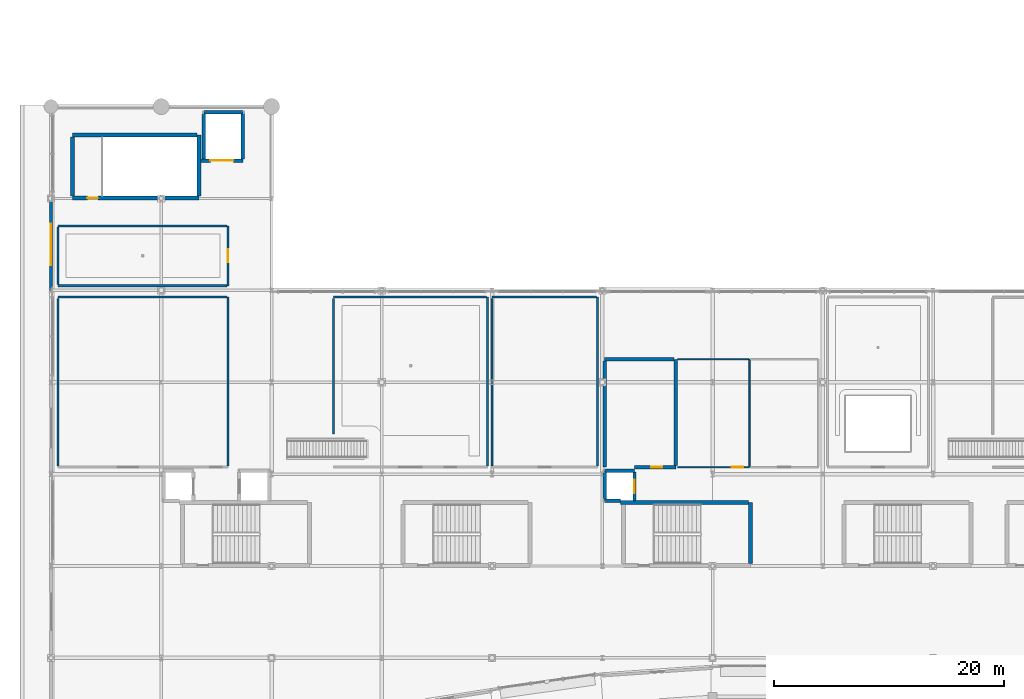
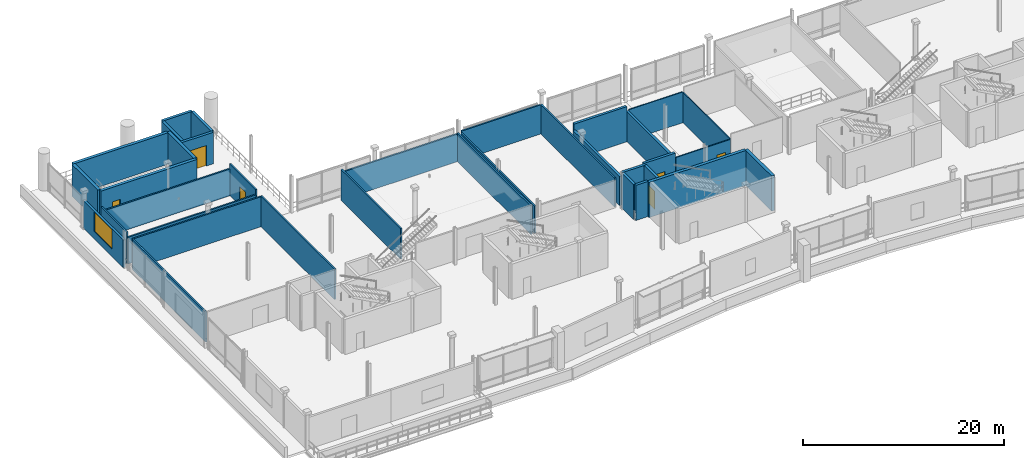
# One storey, part 37 of 59: 35 walls, 6 doors, 1 window, 7 openings.
"""IFC4 building model written with IfcOpenShell, lengths in metres."""

from ifc_helpers import new_model, si_unit, direction, frame, frame_2d, origin, place, context, subcontext, project, spatial, rectangle, extrude, material, layer, layer_set, type_object, element, fill, save


model = new_model("IFC4")

# Units and contexts
model_context = context("Model", 3, precision=1e-05, world=origin(), true_north=direction((0.0, 1.0)))
body_context = subcontext(model_context, "Body", "Model", "MODEL_VIEW")
ifc_project = project(units=[si_unit("LENGTHUNIT", "METRE"), si_unit("AREAUNIT", "SQUARE_METRE"), si_unit("VOLUMEUNIT", "CUBIC_METRE"), si_unit("PLANEANGLEUNIT", "RADIAN"), si_unit("MASSUNIT", "GRAM", prefix="KILO")], contexts=[model_context])

# Site, building, storey
site_placement = place(None, origin())
site = spatial("IfcSite", under=ifc_project, at=site_placement, CompositionType="ELEMENT")
building_placement = place(site_placement, origin())
building = spatial("IfcBuilding", under=site, at=building_placement, Name="Danafjord Basin Convention Centre", CompositionType="ELEMENT")
storey_placement = place(building_placement, frame((0.0, 0.0, 15.89990234375)))
storey = spatial("IfcBuildingStorey", under=building, at=storey_placement, Name="L03", CompositionType="ELEMENT", Elevation=15.89990234375)

# Walls
ifc_material_1 = material(Name="Concrete C40/50", Category="concrete")
ifc_layer_1 = layer(ifc_material_1, 0.300048828125)
ifc_layer_set_1 = layer_set([ifc_layer_1], Name="Concrete C40/50")
wall_type_1 = type_object("IfcWallType", Name="WALL-CW-CORE300", PredefinedType="SHEAR", material=ifc_layer_set_1)
wall_1_placement = place(storey_placement, frame((50.800048828125, 24.300048828125, 0.0), z_axis=(0.0, 0.0, 1.0), x_axis=(-1.0, 0.0, 0.0)))
element("IfcWall", 1, at=wall_1_placement, inside=storey, type_object=wall_type_1, Name="Lift LF-P03 shaft shear wall", PredefinedType="SHEAR", context=body_context, shape_type="SweptSolid", body=[
    extrude(rectangle(XDim=2.60009765625, YDim=0.300048828125, at=frame_2d((1.300048828125, 0.0))), origin(), (0.0, 0.0, 1.0), 4.276123046875),
])
wall_2_placement = place(storey_placement, frame((48.199951171875, 21.699951171875, 0.0), z_axis=(0.0, 0.0, 1.0), x_axis=(1.0, 0.0, 0.0)))
element("IfcWall", 2, at=wall_2_placement, inside=storey, type_object=wall_type_1, Name="Lift LF-P03 shaft shear wall", PredefinedType="SHEAR", context=body_context, shape_type="SweptSolid", body=[
    extrude(rectangle(XDim=1.400146484375, YDim=0.300048828125, at=frame_2d((0.7001953125, 0.0))), origin(), (0.0, 0.0, 1.0), 4.276123046875),
])

# Wall, opening, door
wall_3_placement = place(storey_placement, frame((50.800048828125, 21.6650390625, 0.0), z_axis=(0.0, 0.0, 1.0), x_axis=(0.0, 1.0, 0.0)))
wall_3 = element("IfcWall", 3, at=wall_3_placement, inside=storey, type_object=wall_type_1, Name="Lift LF-P03 shaft shear wall", PredefinedType="SHEAR", context=body_context, shape_type="SweptSolid", body=[
    extrude(rectangle(XDim=2.5, YDim=0.300048828125, at=frame_2d((1.25, 0.0))), origin(), (0.0, 0.0, 1.0), 4.276123046875),
])
opening_1_placement = place(wall_3_placement, frame((0.64990234375, 0.0, 0.0)))
opening_1 = element("IfcOpeningElement", 4, at=opening_1_placement, cuts=wall_3, Name="Opening LD-P01", PredefinedType="OPENING", context=body_context, shape_type="SweptSolid", body=[
    extrude(rectangle(XDim=1.199951171875, YDim=2.199951171875, at=frame_2d((0.60009765625, 1.10009765625))), frame((0.0, 0.159912109375, 0.0), z_axis=(0.0, -1.0, 0.0), x_axis=(1.0, 0.0, 0.0)), (0.0, 0.0, 1.0), 0.320068359375),
])
ifc_material_2 = material(Name="Brushed stainless steel and acoustic laminated glass", Category="steel")
door_type_1 = type_object("IfcDoorType", Name="DOOR-LD-P01", OperationType="DOUBLE_DOOR_SLIDING", PredefinedType="DOOR", material=ifc_material_2)
door_1_placement = place(opening_1_placement, origin())
door_1 = element("IfcDoor", 5, at=door_1_placement, inside=storey, type_object=door_type_1, Name="Lift LF-P03 L03 Landing Door", OperationType="DOUBLE_DOOR_SLIDING", OverallHeight=2.199951171875, OverallWidth=1.199951171875, PredefinedType="DOOR", context=body_context, shape_type="SweptSolid", body=[
    extrude(rectangle(XDim=1.199951171875, YDim=2.199951171875, at=frame_2d((0.60009765625, 1.10009765625))), frame((0.0, 0.02490234375, 0.0), z_axis=(0.0, -1.0, 0.0), x_axis=(1.0, 0.0, 0.0)), (0.0, 0.0, 1.0), 0.050048828125),
])
fill(opening_1, door_1)

# Walls
wall_4_placement = place(storey_placement, frame((48.199951171875, 24.1650390625, 0.0), z_axis=(0.0, 0.0, 1.0), x_axis=(0.0, -1.0, 0.0)))
element("IfcWall", 6, at=wall_4_placement, inside=storey, type_object=wall_type_1, Name="Lift LF-P03 shaft shear wall", PredefinedType="SHEAR", context=body_context, shape_type="SweptSolid", body=[
    extrude(rectangle(XDim=2.330078125, YDim=0.300048828125, at=frame_2d((1.1650390625, 0.0))), origin(), (0.0, 0.0, 1.0), 4.276123046875),
])
wall_5_placement = place(storey_placement, frame((16.699951171875, 55.5, 0.0), z_axis=(0.0, 0.0, 1.0), x_axis=(-1.0, 0.0, 0.0)))
element("IfcWall", 7, at=wall_5_placement, inside=storey, type_object=wall_type_1, Name="Lift LF-G01 shaft shear wall", PredefinedType="SHEAR", context=body_context, shape_type="SweptSolid", body=[
    extrude(rectangle(XDim=3.39990234375, YDim=0.300048828125, at=frame_2d((1.699951171875, 0.0))), origin(), (0.0, 0.0, 1.0), 3.835205078125),
])

# Wall, opening, door
wall_6_placement = place(storey_placement, frame((13.044921875, 51.300048828125, 0.0), z_axis=(0.0, 0.0, 1.0), x_axis=(1.0, 0.0, 0.0)))
wall_6 = element("IfcWall", 8, at=wall_6_placement, inside=storey, type_object=wall_type_1, Name="Lift LF-G01 shaft shear wall", PredefinedType="SHEAR", context=body_context, shape_type="SweptSolid", body=[
    extrude(rectangle(XDim=3.655029296875, YDim=0.300048828125, at=frame_2d((1.82763671875, 0.0))), origin(), (0.0, 0.0, 1.0), 3.835205078125),
])
opening_2_placement = place(wall_6_placement, frame((0.826904296875, 0.0, 0.0)))
opening_2 = element("IfcOpeningElement", 9, at=opening_2_placement, cuts=wall_6, Name="Opening LD-G01", PredefinedType="OPENING", context=body_context, shape_type="SweptSolid", body=[
    extrude(rectangle(XDim=2.0, YDim=2.5, at=frame_2d((1.0, 1.25))), frame((0.0, 0.159912109375, 0.0), z_axis=(0.0, -1.0, 0.0), x_axis=(1.0, 0.0, 0.0)), (0.0, 0.0, 1.0), 0.320068359375),
])
door_type_2 = type_object("IfcDoorType", Name="DOOR-LD-G01", OperationType="DOUBLE_DOOR_SLIDING", PredefinedType="DOOR", material=ifc_material_2)
door_2_placement = place(opening_2_placement, origin())
door_2 = element("IfcDoor", 10, at=door_2_placement, inside=storey, type_object=door_type_2, Name="Lift LF-G01 L03 Landing Door", OperationType="DOUBLE_DOOR_SLIDING", OverallHeight=2.5, OverallWidth=2.0, PredefinedType="DOOR", context=body_context, shape_type="SweptSolid", body=[
    extrude(rectangle(XDim=2.0, YDim=2.5, at=frame_2d((1.0, 1.25))), frame((0.0, 0.02490234375, 0.0), z_axis=(0.0, -1.0, 0.0), x_axis=(1.0, 0.0, 0.0)), (0.0, 0.0, 1.0), 0.050048828125),
])
fill(opening_2, door_2)

# Walls
for number, where, z_axis, x_axis, name in (
    (11, (16.699951171875, 51.43505859375, 0.0), (0.0, 0.0, 1.0), (0.0, 1.0, 0.0), "Lift LF-G01 shaft shear wall"),
    (12, (13.300048828125, 55.364990234375, 0.0), (0.0, 0.0, 1.0), (0.0, -1.0, 0.0), "Lift LF-G01 shaft shear wall"),
):
    element("IfcWall", number, at=place(storey_placement, frame(where, z_axis=z_axis, x_axis=x_axis)), inside=storey, type_object=wall_type_1, Name=name, PredefinedType="SHEAR", context=body_context, shape_type="SweptSolid", body=[
        extrude(rectangle(XDim=3.929931640625, YDim=0.300048828125, at=frame_2d((1.96484375, 0.0))), origin(), (0.0, 0.0, 1.0), 3.835205078125),
    ])
ifc_material_3 = material(Name="Concrete C45/55", Category="concrete")
ifc_layer_2 = layer(ifc_material_3, 0.35009765625)
ifc_layer_set_2 = layer_set([ifc_layer_2], Name="Concrete C45/55")
wall_type_2 = type_object("IfcWallType", Name="WALL-CW-CORE350", PredefinedType="SHEAR", material=ifc_layer_set_2)
wall_7_placement = place(storey_placement, frame((60.889892578125, 16.2099609375, 0.0), z_axis=(0.0, 0.0, 1.0), x_axis=(0.0, 1.0, 0.0)))
element("IfcWall", 13, at=wall_7_placement, inside=storey, type_object=wall_type_2, Name="Mid-Arc Meeting Core Stair 1 core shear wall (east)", PredefinedType="SHEAR", context=body_context, shape_type="SweptSolid", body=[
    extrude(rectangle(XDim=5.300048828125, YDim=0.35009765625, at=frame_2d((2.64990234375, 0.0))), origin(), (0.0, 0.0, 1.0), 4.276123046875),
])
wall_8_placement = place(storey_placement, frame((60.72998046875, 21.510009765625, 0.0), z_axis=(0.0, 0.0, 1.0), x_axis=(-1.0, 0.0, 0.0)))
element("IfcWall", 14, at=wall_8_placement, inside=storey, type_object=wall_type_2, Name="Mid-Arc Meeting Core Stair 1 core shear wall (north)", PredefinedType="SHEAR", context=body_context, shape_type="SweptSolid", body=[
    extrude(rectangle(XDim=11.14990234375, YDim=0.35009765625, at=frame_2d((5.574951171875, 0.0))), origin(), (0.0, 0.0, 1.0), 4.276123046875),
])

# Wall, opening, door
wall_9_placement = place(storey_placement, frame((1.85009765625, 48.050048828125, 0.0), z_axis=(0.0, 0.0, 1.0), x_axis=(1.0, 0.0, 0.0)))
wall_9 = element("IfcWall", 15, at=wall_9_placement, inside=storey, type_object=wall_type_2, Name="West Exhibition Core Stair 1 core shear wall (south)", PredefinedType="SHEAR", context=body_context, shape_type="SweptSolid", body=[
    extrude(rectangle(XDim=11.039794921875, YDim=0.35009765625, at=frame_2d((5.52001953125, 0.0))), origin(), (0.0, 0.0, 1.0), 3.835205078125),
])
opening_3_placement = place(wall_9_placement, frame((1.31201171875, 0.0, 0.0)))
opening_3 = element("IfcOpeningElement", 16, at=opening_3_placement, cuts=wall_9, Name="Opening FD-S01", PredefinedType="OPENING", context=body_context, shape_type="SweptSolid", body=[
    extrude(rectangle(XDim=0.909912109375, YDim=2.080078125, at=frame_2d((0.455078125, 1.0400390625))), frame((0.0, 0.18505859375, 0.0), z_axis=(0.0, -1.0, 0.0), x_axis=(1.0, 0.0, 0.0)), (0.0, 0.0, 1.0), 0.3701171875),
])
ifc_material_4 = material(Name="Powder-coated steel and Nordic oak", Category="steel")
door_type_3 = type_object("IfcDoorType", Name="DOOR-FD-S01", OperationType="NOTDEFINED", PredefinedType="DOOR", material=ifc_material_4)
door_3_placement = place(opening_3_placement, origin())
door_3 = element("IfcDoor", 17, at=door_3_placement, inside=storey, type_object=door_type_3, Name="West Exhibition Core Stair 1 L03 Fire Exit Door", OperationType="SINGLE_SWING_LEFT", OverallHeight=2.080078125, OverallWidth=0.909912109375, PredefinedType="DOOR", context=body_context, shape_type="SweptSolid", body=[
    extrude(rectangle(XDim=0.909912109375, YDim=2.080078125, at=frame_2d((0.455078125, 1.0400390625))), frame((0.0, 0.02490234375, 0.0), z_axis=(0.0, -1.0, 0.0), x_axis=(1.0, 0.0, 0.0)), (0.0, 0.0, 1.0), 0.050048828125),
])
fill(opening_3, door_3)

# Walls
wall_10_placement = place(storey_placement, frame((12.889892578125, 48.2099609375, 0.0), z_axis=(0.0, 0.0, 1.0), x_axis=(0.0, 1.0, 0.0)))
element("IfcWall", 18, at=wall_10_placement, inside=storey, type_object=wall_type_2, Name="West Exhibition Core Stair 1 core shear wall (east)", PredefinedType="SHEAR", context=body_context, shape_type="SweptSolid", body=[
    extrude(rectangle(XDim=5.300048828125, YDim=0.35009765625, at=frame_2d((2.64990234375, 0.0))), origin(), (0.0, 0.0, 1.0), 3.835205078125),
])
wall_11_placement = place(storey_placement, frame((12.72998046875, 53.510009765625, 0.0), z_axis=(0.0, 0.0, 1.0), x_axis=(-1.0, 0.0, 0.0)))
element("IfcWall", 19, at=wall_11_placement, inside=storey, type_object=wall_type_2, Name="West Exhibition Core Stair 1 core shear wall (north)", PredefinedType="SHEAR", context=body_context, shape_type="SweptSolid", body=[
    extrude(rectangle(XDim=10.8798828125, YDim=0.35009765625, at=frame_2d((5.43994140625, 0.0))), origin(), (0.0, 0.0, 1.0), 3.835205078125),
])
wall_12_placement = place(storey_placement, frame((1.85009765625, 53.35009765625, 0.0), z_axis=(0.0, 0.0, 1.0), x_axis=(0.0, -1.0, 0.0)))
element("IfcWall", 20, at=wall_12_placement, inside=storey, type_object=wall_type_2, Name="West Exhibition Core Stair 1 core shear wall (west)", PredefinedType="SHEAR", context=body_context, shape_type="SweptSolid", body=[
    extrude(rectangle(XDim=5.14013671875, YDim=0.35009765625, at=frame_2d((2.570068359375, 0.0))), origin(), (0.0, 0.0, 1.0), 3.835205078125),
])

# Wall, opening, window
ifc_material_5 = material(Name="Concrete C35/45", Category="concrete")
ifc_layer_3 = layer(ifc_material_5, 0.260009765625)
ifc_layer_set_3 = layer_set([ifc_layer_3], Name="Concrete C35/45")
wall_type_3 = type_object("IfcWallType", Name="WALL-EW-STD260", PredefinedType="STANDARD", material=ifc_layer_set_3)
wall_13_placement = place(storey_placement, frame((0.0, 40.0, 0.0), z_axis=(0.0, 0.0, 1.0), x_axis=(0.0, 1.0, 0.0)))
wall_13 = element("IfcWall", 21, at=wall_13_placement, inside=storey, type_object=wall_type_3, Name="L03 W wing facade wall", PredefinedType="STANDARD", context=body_context, shape_type="SweptSolid", body=[
    extrude(rectangle(XDim=8.0, YDim=0.260009765625, at=frame_2d((4.0, 0.0))), origin(), (0.0, 0.0, 1.0), 3.35498046875),
])
opening_4_placement = place(wall_13_placement, frame((2.199951171875, 0.0, 0.89990234375)))
opening_4 = element("IfcOpeningElement", 22, at=opening_4_placement, cuts=wall_13, Name="Opening WN-13", PredefinedType="OPENING", context=body_context, shape_type="SweptSolid", body=[
    extrude(rectangle(XDim=3.60009765625, YDim=2.35009765625, at=frame_2d((1.800048828125, 1.175048828125))), frame((0.0, 0.139892578125, 0.0), z_axis=(0.0, -1.0, 0.0), x_axis=(1.0, 0.0, 0.0)), (0.0, 0.0, 1.0), 0.280029296875),
])
ifc_material_6 = material(Name="Thermally broken aluminium and triple low-E glass", Category="aluminium")
window_type = type_object("IfcWindowType", Name="WIN-WN-13", PartitioningType="SINGLE_PANEL", PredefinedType="WINDOW", material=ifc_material_6)
window_placement = place(opening_4_placement, origin())
window = element("IfcWindow", 23, at=window_placement, inside=storey, type_object=window_type, Name="L03 W window WN-13", OverallHeight=2.35009765625, OverallWidth=3.60009765625, PartitioningType="SINGLE_PANEL", PredefinedType="WINDOW", context=body_context, shape_type="SweptSolid", body=[
    extrude(rectangle(XDim=3.60009765625, YDim=2.35009765625, at=frame_2d((1.800048828125, 1.175048828125))), frame((0.0, 0.030029296875, 0.0), z_axis=(0.0, -1.0, 0.0), x_axis=(1.0, 0.0, 0.0)), (0.0, 0.0, 1.0), 0.06005859375),
])
fill(opening_4, window)

# Walls
ifc_material_7 = material(Name="Acoustic double-board gypsum stud partition")
ifc_layer_4 = layer(ifc_material_7, 0.175048828125)
ifc_layer_set_4 = layer_set([ifc_layer_4], Name="Acoustic double-board gypsum stud partition")
wall_type_4 = type_object("IfcWallType", Name="WALL-PT-AC175", PredefinedType="PARTITIONING", material=ifc_layer_set_4)
wall_14_placement = place(storey_placement, frame((15.39990234375, 24.69140625, 0.0), z_axis=(0.0, 0.0, 1.0), x_axis=(0.0, 1.0, 0.0)))
element("IfcWall", 24, at=wall_14_placement, inside=storey, type_object=wall_type_4, Name="Nordic Boardroom Suite M301 east partition", PredefinedType="PARTITIONING", context=body_context, shape_type="SweptSolid", body=[
    extrude(rectangle(XDim=14.70849609375, YDim=0.175048828125, at=frame_2d((7.354248046875, 0.0))), origin(), (0.0, 0.0, 1.0), 3.696044921875),
])
wall_15_placement = place(storey_placement, frame((15.30859375, 39.39990234375, 0.0), z_axis=(0.0, 0.0, 1.0), x_axis=(-1.0, 0.0, 0.0)))
element("IfcWall", 25, at=wall_15_placement, inside=storey, type_object=wall_type_4, Name="Nordic Boardroom Suite M301 north partition", PredefinedType="PARTITIONING", context=body_context, shape_type="SweptSolid", body=[
    extrude(rectangle(XDim=14.70849609375, YDim=0.175048828125, at=frame_2d((7.354248046875, 0.0))), origin(), (0.0, 0.0, 1.0), 3.64599609375),
])
wall_16_placement = place(storey_placement, frame((0.60009765625, 39.30859375, 0.0), z_axis=(0.0, 0.0, 1.0), x_axis=(0.0, -1.0, 0.0)))
element("IfcWall", 26, at=wall_16_placement, inside=storey, type_object=wall_type_4, Name="Nordic Boardroom Suite M301 west partition", PredefinedType="PARTITIONING", context=body_context, shape_type="SweptSolid", body=[
    extrude(rectangle(XDim=14.6171875, YDim=0.175048828125, at=frame_2d((7.30859375, 0.0))), origin(), (0.0, 0.0, 1.0), 3.64599609375),
])
wall_17_placement = place(storey_placement, frame((38.0, 24.69140625, 0.0), z_axis=(0.0, 0.0, 1.0), x_axis=(0.0, 1.0, 0.0)))
element("IfcWall", 27, at=wall_17_placement, inside=storey, type_object=wall_type_4, Name="Skagerrak Boardroom Suite M302 east partition", PredefinedType="PARTITIONING", context=body_context, shape_type="SweptSolid", body=[
    extrude(rectangle(XDim=14.70849609375, YDim=0.175048828125, at=frame_2d((7.354248046875, 0.0))), origin(), (0.0, 0.0, 1.0), 3.446044921875),
])
wall_18_placement = place(storey_placement, frame((37.908447265625, 39.39990234375, 0.0), z_axis=(0.0, 0.0, 1.0), x_axis=(-1.0, 0.0, 0.0)))
element("IfcWall", 28, at=wall_18_placement, inside=storey, type_object=wall_type_4, Name="Skagerrak Boardroom Suite M302 north partition", PredefinedType="PARTITIONING", context=body_context, shape_type="SweptSolid", body=[
    extrude(rectangle(XDim=13.308349609375, YDim=0.175048828125, at=frame_2d((6.654296875, 0.0))), origin(), (0.0, 0.0, 1.0), 3.34619140625),
])
wall_19_placement = place(storey_placement, frame((24.60009765625, 39.30859375, 0.0), z_axis=(0.0, 0.0, 1.0), x_axis=(0.0, -1.0, 0.0)))
element("IfcWall", 29, at=wall_19_placement, inside=storey, type_object=wall_type_4, Name="Skagerrak Boardroom Suite M302 west partition", PredefinedType="PARTITIONING", context=body_context, shape_type="SweptSolid", body=[
    extrude(rectangle(XDim=11.83349609375, YDim=0.175048828125, at=frame_2d((5.916748046875, 0.0))), origin(), (0.0, 0.0, 1.0), 3.74609375),
])
wall_20_placement = place(storey_placement, frame((47.60009765625, 24.69140625, 0.0), z_axis=(0.0, 0.0, 1.0), x_axis=(0.0, 1.0, 0.0)))
element("IfcWall", 30, at=wall_20_placement, inside=storey, type_object=wall_type_4, Name="Kattegat Boardroom Suite M303 east partition", PredefinedType="PARTITIONING", context=body_context, shape_type="SweptSolid", body=[
    extrude(rectangle(XDim=14.70849609375, YDim=0.175048828125, at=frame_2d((7.354248046875, 0.0))), origin(), (0.0, 0.0, 1.0), 3.546142578125),
])
wall_21_placement = place(storey_placement, frame((47.508544921875, 39.39990234375, 0.0), z_axis=(0.0, 0.0, 1.0), x_axis=(-1.0, 0.0, 0.0)))
element("IfcWall", 31, at=wall_21_placement, inside=storey, type_object=wall_type_4, Name="Kattegat Boardroom Suite M303 north partition", PredefinedType="PARTITIONING", context=body_context, shape_type="SweptSolid", body=[
    extrude(rectangle(XDim=9.108642578125, YDim=0.175048828125, at=frame_2d((4.55419921875, 0.0))), origin(), (0.0, 0.0, 1.0), 3.546142578125),
])
wall_22_placement = place(storey_placement, frame((38.39990234375, 39.30859375, 0.0), z_axis=(0.0, 0.0, 1.0), x_axis=(0.0, -1.0, 0.0)))
element("IfcWall", 32, at=wall_22_placement, inside=storey, type_object=wall_type_4, Name="Kattegat Boardroom Suite M303 west partition", PredefinedType="PARTITIONING", context=body_context, shape_type="SweptSolid", body=[
    extrude(rectangle(XDim=14.6171875, YDim=0.175048828125, at=frame_2d((7.30859375, 0.0))), origin(), (0.0, 0.0, 1.0), 3.34619140625),
])

# Wall, opening, door
wall_23_placement = place(storey_placement, frame((15.39990234375, 40.39990234375, 0.0), z_axis=(0.0, 0.0, 1.0), x_axis=(0.0, 1.0, 0.0)))
wall_23 = element("IfcWall", 33, at=wall_23_placement, inside=storey, type_object=wall_type_4, Name="West Link Seminar Room M305 east partition", PredefinedType="PARTITIONING", context=body_context, shape_type="SweptSolid", body=[
    extrude(rectangle(XDim=5.2001953125, YDim=0.175048828125, at=frame_2d((2.60009765625, 0.0))), origin(), (0.0, 0.0, 1.0), 3.835205078125),
])
opening_5_placement = place(wall_23_placement, frame((2.034912109375, 0.0, 0.0)))
opening_5 = element("IfcOpeningElement", 34, at=opening_5_placement, cuts=wall_23, Name="Opening FD-S16", PredefinedType="OPENING", context=body_context, shape_type="SweptSolid", body=[
    extrude(rectangle(XDim=1.1298828125, YDim=2.300048828125, at=frame_2d((0.56494140625, 1.14990234375))), frame((0.0, 0.097412109375, 0.0), z_axis=(0.0, -1.0, 0.0), x_axis=(1.0, 0.0, 0.0)), (0.0, 0.0, 1.0), 0.195068359375),
])
door_type_4 = type_object("IfcDoorType", Name="DOOR-FD-S16", OperationType="NOTDEFINED", PredefinedType="DOOR", material=ifc_material_4)
door_4_placement = place(opening_5_placement, origin())
door_4 = element("IfcDoor", 35, at=door_4_placement, inside=storey, type_object=door_type_4, Name="West Link Seminar Room M305 Entrance Door", OperationType="SINGLE_SWING_LEFT", OverallHeight=2.300048828125, OverallWidth=1.1298828125, PredefinedType="DOOR", context=body_context, shape_type="SweptSolid", body=[
    extrude(rectangle(XDim=1.1298828125, YDim=2.300048828125, at=frame_2d((0.56494140625, 1.14990234375))), frame((0.0, 0.02490234375, 0.0), z_axis=(0.0, -1.0, 0.0), x_axis=(1.0, 0.0, 0.0)), (0.0, 0.0, 1.0), 0.050048828125),
])
fill(opening_5, door_4)

# Walls
for number, where, z_axis, x_axis, name in (
    (36, (0.60009765625, 40.39990234375, 0.0), (0.0, 0.0, 1.0), (1.0, 0.0, 0.0), "West Link Seminar Room M305 south partition"),
    (37, (15.30859375, 45.60009765625, 0.0), (0.0, 0.0, 1.0), (-1.0, 0.0, 0.0), "West Link Seminar Room M305 north partition"),
):
    element("IfcWall", number, at=place(storey_placement, frame(where, z_axis=z_axis, x_axis=x_axis)), inside=storey, type_object=wall_type_4, Name=name, PredefinedType="PARTITIONING", context=body_context, shape_type="SweptSolid", body=[
        extrude(rectangle(XDim=14.70849609375, YDim=0.175048828125, at=frame_2d((7.354248046875, 0.0))), origin(), (0.0, 0.0, 1.0), 3.255126953125),
    ])
wall_24_placement = place(storey_placement, frame((0.60009765625, 45.508544921875, 0.0), z_axis=(0.0, 0.0, 1.0), x_axis=(0.0, -1.0, 0.0)))
element("IfcWall", 38, at=wall_24_placement, inside=storey, type_object=wall_type_4, Name="West Link Seminar Room M305 west partition", PredefinedType="PARTITIONING", context=body_context, shape_type="SweptSolid", body=[
    extrude(rectangle(XDim=5.01708984375, YDim=0.175048828125, at=frame_2d((2.508544921875, 0.0))), origin(), (0.0, 0.0, 1.0), 3.835205078125),
])

# Wall, opening, door
ifc_material_8 = material(Name="Sanitary service-chase stud wall")
ifc_layer_5 = layer(ifc_material_8, 0.284912109375)
ifc_layer_set_5 = layer_set([ifc_layer_5], Name="Sanitary service-chase stud wall")
wall_type_5 = type_object("IfcWallType", Name="WALL-PT-PLB285", PredefinedType="PLUMBINGWALL", material=ifc_layer_set_5)
wall_25_placement = place(storey_placement, frame((50.80810546875, 24.60009765625, 0.0), z_axis=(0.0, 0.0, 1.0), x_axis=(1.0, 0.0, 0.0)))
wall_25 = element("IfcWall", 39, at=wall_25_placement, inside=storey, type_object=wall_type_5, Name="Level 3 Male Toilet south partition", PredefinedType="PLUMBINGWALL", context=body_context, shape_type="SweptSolid", body=[
    extrude(rectangle(XDim=3.591796875, YDim=0.284912109375, at=frame_2d((1.7958984375, 0.0))), origin(), (0.0, 0.0, 1.0), 4.276123046875),
])
opening_6_placement = place(wall_25_placement, frame((1.447998046875, 0.0, 0.0)))
opening_6 = element("IfcOpeningElement", 40, at=opening_6_placement, cuts=wall_25, Name="Opening FD-S22", PredefinedType="OPENING", context=body_context, shape_type="SweptSolid", body=[
    extrude(rectangle(XDim=0.9599609375, YDim=2.449951171875, at=frame_2d((0.47998046875, 1.22509765625))), frame((0.0, 0.15234375, 0.0), z_axis=(0.0, -1.0, 0.0), x_axis=(1.0, 0.0, 0.0)), (0.0, 0.0, 1.0), 0.304931640625),
])
door_type_5 = type_object("IfcDoorType", Name="DOOR-FD-S22", OperationType="NOTDEFINED", PredefinedType="DOOR", material=ifc_material_4)
door_5_placement = place(opening_6_placement, origin())
door_5 = element("IfcDoor", 41, at=door_5_placement, inside=storey, type_object=door_type_5, Name="Level 3 Male Toilet Entrance Door", OperationType="SINGLE_SWING_LEFT", OverallHeight=2.449951171875, OverallWidth=0.9599609375, PredefinedType="DOOR", context=body_context, shape_type="SweptSolid", body=[
    extrude(rectangle(XDim=0.9599609375, YDim=2.449951171875, at=frame_2d((0.47998046875, 1.22509765625))), frame((0.0, 0.02490234375, 0.0), z_axis=(0.0, -1.0, 0.0), x_axis=(1.0, 0.0, 0.0)), (0.0, 0.0, 1.0), 0.050048828125),
])
fill(opening_6, door_5)

# Walls
wall_26_placement = place(storey_placement, frame((54.39990234375, 24.74658203125, 0.0), z_axis=(0.0, 0.0, 1.0), x_axis=(0.0, 1.0, 0.0)))
element("IfcWall", 42, at=wall_26_placement, inside=storey, type_object=wall_type_5, Name="Level 3 Male Toilet east partition", PredefinedType="PLUMBINGWALL", context=body_context, shape_type="SweptSolid", body=[
    extrude(rectangle(XDim=9.25341796875, YDim=0.284912109375, at=frame_2d((4.626708984375, 0.0))), origin(), (0.0, 0.0, 1.0), 3.64599609375),
])
wall_27_placement = place(storey_placement, frame((54.25341796875, 34.0, 0.0), z_axis=(0.0, 0.0, 1.0), x_axis=(-1.0, 0.0, 0.0)))
element("IfcWall", 43, at=wall_27_placement, inside=storey, type_object=wall_type_5, Name="Level 3 Male Toilet north partition", PredefinedType="PLUMBINGWALL", context=body_context, shape_type="SweptSolid", body=[
    extrude(rectangle(XDim=6.053466796875, YDim=0.284912109375, at=frame_2d((3.02685546875, 0.0))), origin(), (0.0, 0.0, 1.0), 4.276123046875),
])
wall_28_placement = place(storey_placement, frame((48.199951171875, 33.853515625, 0.0), z_axis=(0.0, 0.0, 1.0), x_axis=(0.0, -1.0, 0.0)))
element("IfcWall", 44, at=wall_28_placement, inside=storey, type_object=wall_type_5, Name="Level 3 Male Toilet west partition", PredefinedType="PLUMBINGWALL", context=body_context, shape_type="SweptSolid", body=[
    extrude(rectangle(XDim=9.25341796875, YDim=0.284912109375, at=frame_2d((4.626708984375, 0.0))), origin(), (0.0, 0.0, 1.0), 3.546142578125),
])

# Wall, opening, door
ifc_material_9 = material(Name="Moisture-resistant gypsum stud partition")
ifc_layer_6 = layer(ifc_material_9, 0.1201171875)
ifc_layer_set_6 = layer_set([ifc_layer_6], Name="Moisture-resistant gypsum stud partition")
wall_type_6 = type_object("IfcWallType", Name="WALL-PT-ST120", PredefinedType="PARTITIONING", material=ifc_layer_set_6)
wall_29_placement = place(storey_placement, frame((54.54638671875, 24.60009765625, 0.0), z_axis=(0.0, 0.0, 1.0), x_axis=(1.0, 0.0, 0.0)))
wall_29 = element("IfcWall", 45, at=wall_29_placement, inside=storey, type_object=wall_type_6, Name="Level 3 Female Toilet south partition", PredefinedType="PARTITIONING", context=body_context, shape_type="SweptSolid", body=[
    extrude(rectangle(XDim=6.253662109375, YDim=0.1201171875, at=frame_2d((3.126953125, 0.0))), origin(), (0.0, 0.0, 1.0), 3.64599609375),
])
opening_7_placement = place(wall_29_placement, frame((4.712890625, 0.0, 0.0)))
opening_7 = element("IfcOpeningElement", 46, at=opening_7_placement, cuts=wall_29, Name="Opening FD-S23", PredefinedType="OPENING", context=body_context, shape_type="SweptSolid", body=[
    extrude(rectangle(XDim=0.989990234375, YDim=2.280029296875, at=frame_2d((0.4951171875, 1.14013671875))), frame((0.0, 0.070068359375, 0.0), z_axis=(0.0, -1.0, 0.0), x_axis=(1.0, 0.0, 0.0)), (0.0, 0.0, 1.0), 0.14013671875),
])
door_type_6 = type_object("IfcDoorType", Name="DOOR-FD-S23", OperationType="NOTDEFINED", PredefinedType="DOOR", material=ifc_material_4)
door_6_placement = place(opening_7_placement, origin())
door_6 = element("IfcDoor", 47, at=door_6_placement, inside=storey, type_object=door_type_6, Name="Level 3 Female Toilet Entrance Door", OperationType="SINGLE_SWING_RIGHT", OverallHeight=2.280029296875, OverallWidth=0.989990234375, PredefinedType="DOOR", context=body_context, shape_type="SweptSolid", body=[
    extrude(rectangle(XDim=0.989990234375, YDim=2.280029296875, at=frame_2d((0.4951171875, 1.14013671875))), frame((0.0, 0.02490234375, 0.0), z_axis=(0.0, -1.0, 0.0), x_axis=(1.0, 0.0, 0.0)), (0.0, 0.0, 1.0), 0.050048828125),
])
fill(opening_7, door_6)

# Walls
wall_30_placement = place(storey_placement, frame((60.800048828125, 24.6640625, 0.0), z_axis=(0.0, 0.0, 1.0), x_axis=(0.0, 1.0, 0.0)))
element("IfcWall", 48, at=wall_30_placement, inside=storey, type_object=wall_type_6, Name="Level 3 Female Toilet east partition", PredefinedType="PARTITIONING", context=body_context, shape_type="SweptSolid", body=[
    extrude(rectangle(XDim=9.3359375, YDim=0.1201171875, at=frame_2d((4.66796875, 0.0))), origin(), (0.0, 0.0, 1.0), 3.696044921875),
])
wall_31_placement = place(storey_placement, frame((60.736083984375, 34.0, 0.0), z_axis=(0.0, 0.0, 1.0), x_axis=(-1.0, 0.0, 0.0)))
element("IfcWall", 49, at=wall_31_placement, inside=storey, type_object=wall_type_6, Name="Level 3 Female Toilet north partition", PredefinedType="PARTITIONING", context=body_context, shape_type="SweptSolid", body=[
    extrude(rectangle(XDim=6.189697265625, YDim=0.1201171875, at=frame_2d((3.0947265625, 0.0))), origin(), (0.0, 0.0, 1.0), 3.74609375),
])

save(model, "model.ifc")
